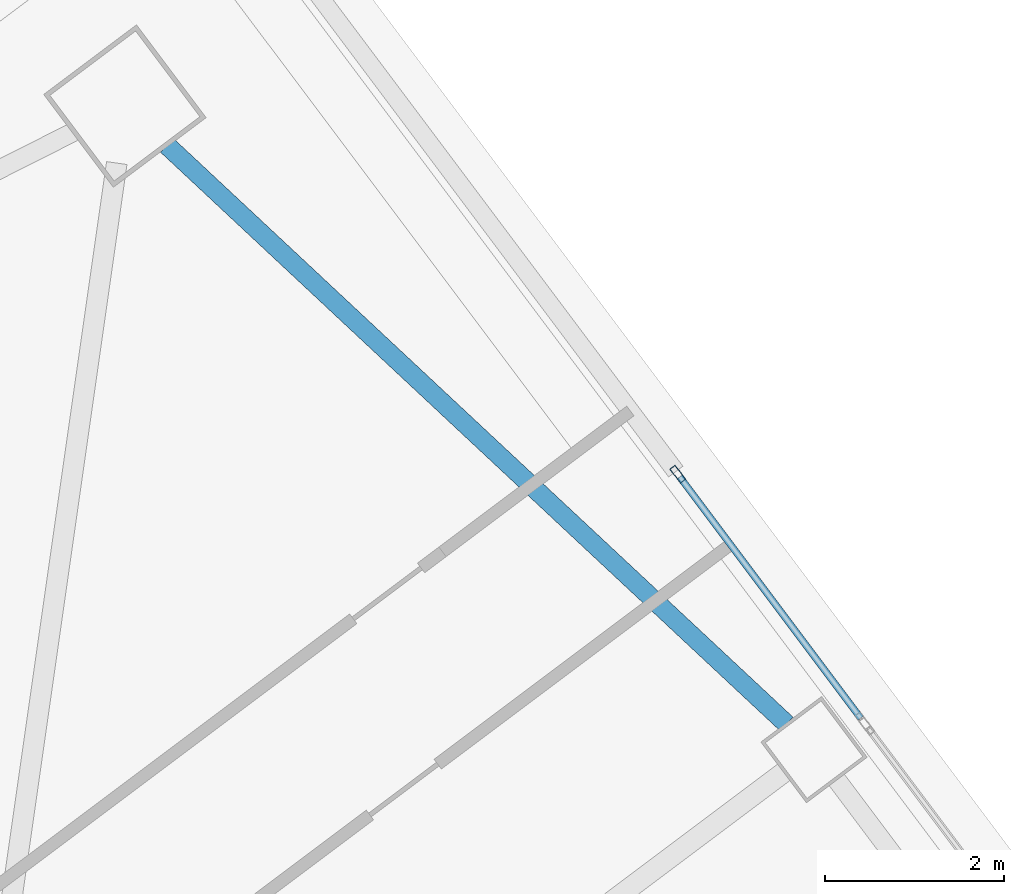
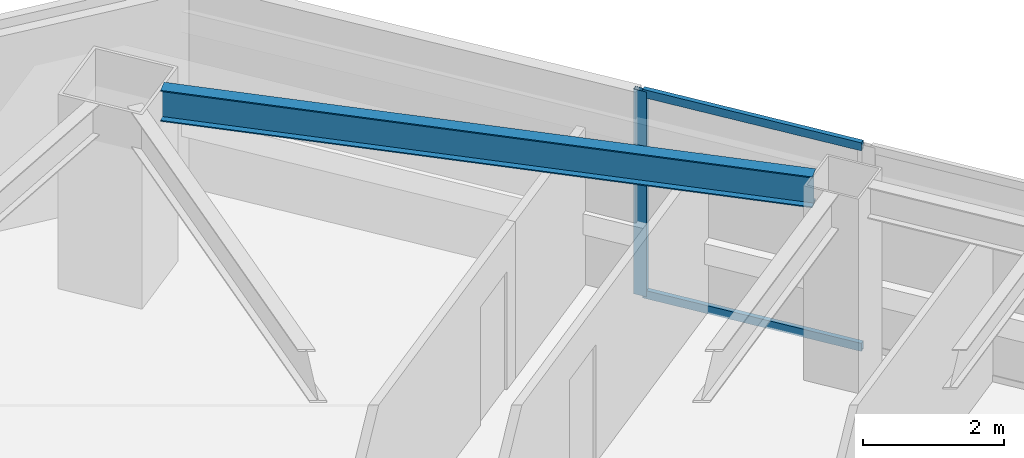
# One storey, part 28 of 40: 3 members, 1 beam, 1 element without a shape of its own.
"""IFC4 building model written with IfcOpenShell, lengths in metres."""

from ifc_helpers import new_model, si_unit, direction, frame, origin, origin_2d, place, context, subcontext, project, spatial, hollow_rectangle, i_section, extrude, material, material_profile, profile_set, type_object, element, aggregate, save


model = new_model("IFC4")

# Units and contexts
model_context = context("Model", 3, precision=1e-05, world=origin(), true_north=direction((0.0, 1.0)))
body_context = subcontext(model_context, "Body", "Model", "MODEL_VIEW")
ifc_project = project(units=[si_unit("LENGTHUNIT", "METRE"), si_unit("AREAUNIT", "SQUARE_METRE"), si_unit("VOLUMEUNIT", "CUBIC_METRE"), si_unit("PLANEANGLEUNIT", "RADIAN"), si_unit("MASSUNIT", "GRAM", prefix="KILO")], contexts=[model_context])

# Site, building, storey
site_placement = place(None, origin())
site = spatial("IfcSite", under=ifc_project, at=site_placement, CompositionType="ELEMENT")
building_placement = place(site_placement, origin())
building = spatial("IfcBuilding", under=site, at=building_placement, Name="Tashvorn Skyway Center", CompositionType="ELEMENT")
storey_placement = place(building_placement, frame((0.0, 0.0, 142.800048828125)))
storey = spatial("IfcBuildingStorey", under=building, at=storey_placement, Name="L38", CompositionType="ELEMENT", Elevation=142.800048828125)

# Beam
ifc_material_1 = material(Name="Steel ASTM A992 Grade 50", Category="steel")
ifc_material_profile_1 = material_profile(ifc_material_1, i_section(OverallWidth=0.2109375, OverallDepth=0.5390625, WebThickness=0.01171875, FlangeThickness=0.018798828125, at=origin_2d()), Name="W21X73")
ifc_profile_set_1 = profile_set([ifc_material_profile_1], Name="Steel ASTM A992 Grade 50")
beam_type = type_object("IfcBeamType", Name="BM-SPANDREL-W21X73", PredefinedType="SPANDREL", material=ifc_profile_set_1)
beam_placement = place(storey_placement, frame((124.572998046875, 47.19677734375, 3.100341796875), z_axis=(-0.730843250868, 0.682545341102, 0.0), x_axis=(-0.682545341102, -0.730843250868, 0.0)))
element("IfcBeam", 1, at=beam_placement, inside=storey, type_object=beam_type, Name="Tower 2 L38 Spandrel Beam 06", PredefinedType="SPANDREL", context=body_context, shape_type="SweptSolid", body=[
    extrude(i_section(OverallWidth=0.2109375, OverallDepth=0.5390625, WebThickness=0.01171875, FlangeThickness=0.018798828125, at=origin_2d()), origin(), (0.0, 0.0, 1.0), 9.498046875),
])

# Curtain wall, members
ifc_material_2 = material(Name="Thermally broken bronze-anodized aluminium 6063-T6", Category="aluminium")
curtain_wall_type = type_object("IfcCurtainWallType", Name="CW-CW-Z3", PredefinedType="NOTDEFINED", material=ifc_material_2)
curtain_wall_placement = place(storey_placement, origin())
curtain_wall = element("IfcCurtainWall", 2, at=curtain_wall_placement, inside=storey, type_object=curtain_wall_type, Name="Tower 2 L38 East Unitised Curtain Wall Glazing Group 1", PredefinedType="NOTDEFINED")
ifc_material_profile_2 = material_profile(ifc_material_2, hollow_rectangle(XDim=0.074951171875, YDim=0.199951171875, WallThickness=0.00439453125, at=origin_2d()), Name="ALU-MULL-75x200")
ifc_profile_set_2 = profile_set([ifc_material_profile_2], Name="Thermally broken bronze-anodized aluminium 6063-T6")
member_type_1 = type_object("IfcMemberType", Name="CWM-CW-Z3", PredefinedType="MULLION", material=ifc_profile_set_2)
member_1_placement = place(storey_placement, frame((123.353271484375, 49.995849609375, 0.0), z_axis=(0.0, 0.0, 1.0), x_axis=(0.800003400519, 0.599995465948, 0.0)))
member_1 = element("IfcMember", 3, at=member_1_placement, type_object=member_type_1, Name="CW-Z3 mullion 1", PredefinedType="MULLION", context=body_context, shape_type="SweptSolid", body=[
    extrude(hollow_rectangle(XDim=0.074951171875, YDim=0.199951171875, WallThickness=0.00439453125, at=origin_2d()), origin(), (0.0, 0.0, 1.0), 3.550048828125),
])
ifc_material_profile_3 = material_profile(ifc_material_2, hollow_rectangle(XDim=0.074951171875, YDim=0.139892578125, WallThickness=0.004150390625, at=origin_2d()), Name="ALU-TRAN-75x140")
ifc_profile_set_3 = profile_set([ifc_material_profile_3], Name="Thermally broken bronze-anodized aluminium 6063-T6")
member_type_2 = type_object("IfcMemberType", Name="CWT-CW-Z3", PredefinedType="USERDEFINED", material=ifc_profile_set_3)
member_2_placement = place(storey_placement, frame((123.375732421875, 49.9658203125, 0.037353515625), z_axis=(0.6, -0.8, 0.0), x_axis=(0.8, 0.6, 0.0)))
member_2 = element("IfcMember", 4, at=member_2_placement, type_object=member_type_2, Name="CW-Z3 transom 1.1", ObjectType="TRANSOM", PredefinedType="USERDEFINED", context=body_context, shape_type="SweptSolid", body=[
    extrude(hollow_rectangle(XDim=0.074951171875, YDim=0.139892578125, WallThickness=0.004150390625, at=origin_2d()), origin(), (0.0, 0.0, 1.0), 3.37890625),
])
member_3_placement = place(storey_placement, frame((123.375732421875, 49.9658203125, 3.512451171875), z_axis=(0.6, -0.8, 0.0), x_axis=(0.8, 0.6, 0.0)))
member_3 = element("IfcMember", 5, at=member_3_placement, type_object=member_type_2, Name="CW-Z3 transom 1.2", ObjectType="TRANSOM", PredefinedType="USERDEFINED", context=body_context, shape_type="SweptSolid", body=[
    extrude(hollow_rectangle(XDim=0.074951171875, YDim=0.139892578125, WallThickness=0.004150390625, at=origin_2d()), origin(), (0.0, 0.0, 1.0), 3.37890625),
])
aggregate(curtain_wall, [member_1, member_2, member_3])

save(model, "model.ifc")
